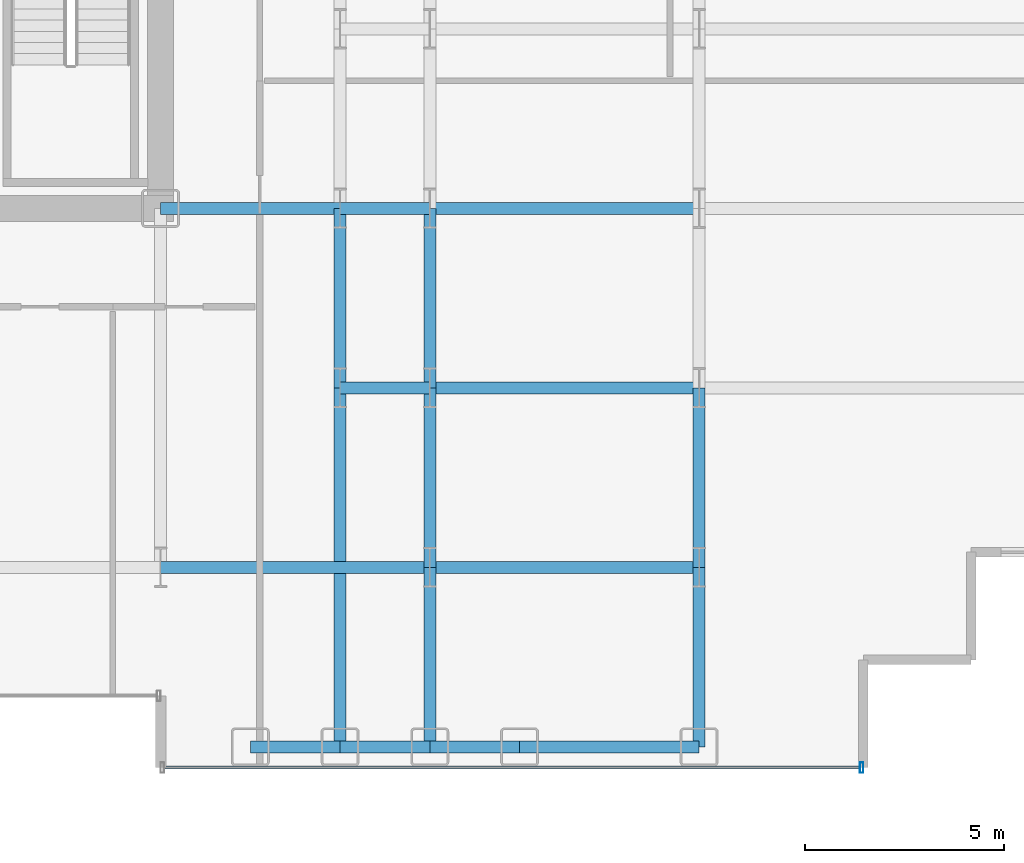
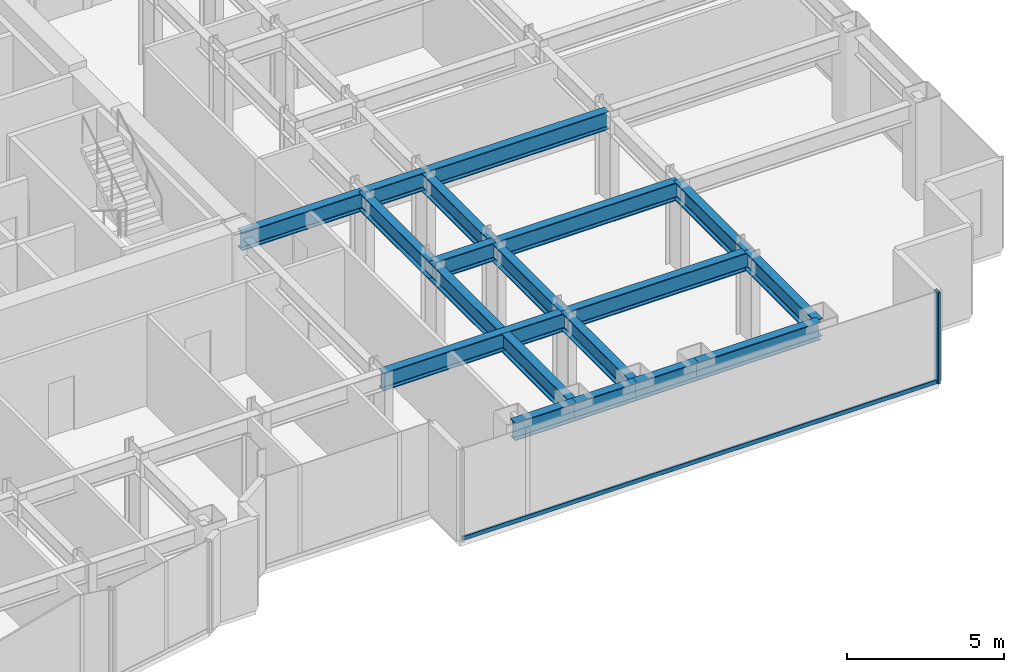
# One storey, part 7 of 25: 18 beams, 2 members, 1 element without a shape of its own.
"""IFC4 building model written with IfcOpenShell, lengths in metres."""

from ifc_helpers import new_model, si_unit, direction, frame, origin, origin_2d, place, context, subcontext, project, spatial, hollow_rectangle, i_section, extrude, source, transform, mapped, material, layer, layer_set, material_profile, profile_set, type_object, element, aggregate, save


model = new_model("IFC4")

# Units and contexts
model_context = context("Model", 3, precision=1e-05, world=origin(), true_north=direction((0.0, 1.0)))
body_context = subcontext(model_context, "Body", "Model", "MODEL_VIEW")
ifc_project = project(units=[si_unit("LENGTHUNIT", "METRE"), si_unit("AREAUNIT", "SQUARE_METRE"), si_unit("VOLUMEUNIT", "CUBIC_METRE"), si_unit("PLANEANGLEUNIT", "RADIAN"), si_unit("MASSUNIT", "GRAM", prefix="KILO")], contexts=[model_context])

# Site, building, storey
site_placement = place(None, origin())
site = spatial("IfcSite", under=ifc_project, at=site_placement, CompositionType="ELEMENT")
building_placement = place(site_placement, origin())
building = spatial("IfcBuilding", under=site, at=building_placement, Name="Nefas-Gora Pilgrimage Tower", CompositionType="ELEMENT")
storey_placement = place(building_placement, frame((0.0, 0.0, 71.0)))
storey = spatial("IfcBuildingStorey", under=building, at=storey_placement, Name="L16", CompositionType="ELEMENT", Elevation=71.0)

# Beams
ifc_material_1 = material(Name="Steel S355", Category="steel")
ifc_material_profile_1 = material_profile(ifc_material_1, i_section(OverallWidth=0.300048828125, OverallDepth=0.699951171875, WebThickness=0.01708984375, FlangeThickness=0.031982421875, FilletRadius=0.027099609375, at=origin_2d()), Name="HEB 700")
ifc_profile_set_1 = profile_set([ifc_material_profile_1], Name="Steel S355")
beam_type_1 = type_object("IfcBeamType", Name="BM-SPN-HEB600", PredefinedType="SPANDREL", material=ifc_profile_set_1)
shared_shape_1 = source(origin(), body_context, "Body", "SweptSolid", [
    extrude(i_section(OverallWidth=0.300048828125, OverallDepth=0.699951171875, WebThickness=0.01708984375, FlangeThickness=0.031982421875, FilletRadius=0.027099609375, at=origin_2d()), origin(), (0.0, 0.0, 1.0), 4.5),
])
beam_1_placement = place(storey_placement, frame((20.25, -22.5, 3.199951171875), z_axis=(1.0, 0.0, 0.0), x_axis=(0.0, 1.0, 0.0)))
element("IfcBeam", 1, at=beam_1_placement, inside=storey, type_object=beam_type_1, Name="L16 SP-01 beam", PredefinedType="SPANDREL", context=body_context, shape_type="MappedRepresentation", body=[
    mapped(shared_shape_1, transform((0.0, 0.0, 0.0), x_axis=(1.0, 0.0, 0.0), y_axis=(0.0, 1.0, 0.0), z_axis=(0.0, 0.0, 1.0), scale=1.0)),
])
ifc_material_profile_2 = material_profile(ifc_material_1, i_section(OverallWidth=0.300048828125, OverallDepth=0.699951171875, WebThickness=0.01708984375, FlangeThickness=0.031982421875, FilletRadius=0.027099609375, at=origin_2d()), Name="HEB 700")
ifc_profile_set_2 = profile_set([ifc_material_profile_2], Name="Steel S355")
beam_type_2 = type_object("IfcBeamType", Name="BM-GIR-HEB700", PredefinedType="BEAM", material=ifc_profile_set_2)
shared_shape_2 = source(origin(), body_context, "Body", "SweptSolid", [
    extrude(i_section(OverallWidth=0.300048828125, OverallDepth=0.699951171875, WebThickness=0.01708984375, FlangeThickness=0.031982421875, FilletRadius=0.027099609375, at=origin_2d()), origin(), (0.0, 0.0, 1.0), 9.0),
])
beam_2_placement = place(storey_placement, frame((15.75, -22.5, 3.199951171875), z_axis=(0.0, 1.0, 0.0), x_axis=(-1.0, 0.0, 0.0)))
element("IfcBeam", 2, at=beam_2_placement, inside=storey, type_object=beam_type_2, Name="L16 G-02 beam", PredefinedType="BEAM", context=body_context, shape_type="MappedRepresentation", body=[
    mapped(shared_shape_2, transform((0.0, 0.0, 0.0), x_axis=(1.0, 0.0, 0.0), y_axis=(0.0, 1.0, 0.0), z_axis=(0.0, 0.0, 1.0), scale=1.0)),
])
shared_shape_3 = source(origin(), body_context, "Body", "SweptSolid", [
    extrude(i_section(OverallWidth=0.300048828125, OverallDepth=0.699951171875, WebThickness=0.01708984375, FlangeThickness=0.031982421875, FilletRadius=0.027099609375, at=origin_2d()), origin(), (0.0, 0.0, 1.0), 4.5),
])
for number, where, z_axis, x_axis, name in (
    (3, (11.25, -9.0, 3.199951171875), (1.0, 0.0, 0.0), (0.0, 1.0, 0.0), "L16 G-02 beam"),
    (4, (15.75, -13.5, 3.199951171875), (0.0, 1.0, 0.0), (-1.0, 0.0, 0.0), "L16 G-02 beam"),
    (5, (18.0, -22.5, 3.199951171875), (0.0, 1.0, 0.0), (-1.0, 0.0, 0.0), "L16 G-02 beam"),
    (6, (18.0, -18.0, 3.199951171875), (0.0, 1.0, 0.0), (-1.0, 0.0, 0.0), "L16 G-02 beam"),
    (7, (18.0, -13.5, 3.199951171875), (0.0, 1.0, 0.0), (-1.0, 0.0, 0.0), "L16 G-02 beam"),
    (8, (24.75, -22.5, 3.199951171875), (0.0, 1.0, 0.0), (-1.0, 0.0, 0.0), "L16 G-02 beam"),
    (9, (24.75, -18.0, 3.199951171875), (0.0, 1.0, 0.0), (-1.0, 0.0, 0.0), "L16 G-02 beam"),
):
    element("IfcBeam", number, at=place(storey_placement, frame(where, z_axis=z_axis, x_axis=x_axis)), inside=storey, type_object=beam_type_2, Name=name, PredefinedType="BEAM", context=body_context, shape_type="MappedRepresentation", body=[
        mapped(shared_shape_3, transform((0.0, 0.0, 0.0), x_axis=(1.0, 0.0, 0.0), y_axis=(0.0, 1.0, 0.0), z_axis=(0.0, 0.0, 1.0), scale=1.0)),
    ])
shared_shape_4 = source(origin(), body_context, "Body", "SweptSolid", [
    extrude(i_section(OverallWidth=0.300048828125, OverallDepth=0.699951171875, WebThickness=0.01708984375, FlangeThickness=0.031982421875, FilletRadius=0.027099609375, at=origin_2d()), origin(), (0.0, 0.0, 1.0), 6.75),
])
for number, where, z_axis, x_axis, name in (
    (10, (11.25, -18.0, 3.199951171875), (1.0, 0.0, 0.0), (0.0, 1.0, 0.0), "L16 G-02 beam"),
    (11, (18.0, -18.0, 3.199951171875), (1.0, 0.0, 0.0), (0.0, 1.0, 0.0), "L16 G-02 beam"),
    (12, (18.0, -13.5, 3.199951171875), (1.0, 0.0, 0.0), (0.0, 1.0, 0.0), "L16 G-02 beam"),
    (13, (18.0, -9.0, 3.199951171875), (1.0, 0.0, 0.0), (0.0, 1.0, 0.0), "L16 G-02 beam"),
):
    element("IfcBeam", number, at=place(storey_placement, frame(where, z_axis=z_axis, x_axis=x_axis)), inside=storey, type_object=beam_type_2, Name=name, PredefinedType="BEAM", context=body_context, shape_type="MappedRepresentation", body=[
        mapped(shared_shape_4, transform((0.0, 0.0, 0.0), x_axis=(1.0, 0.0, 0.0), y_axis=(0.0, 1.0, 0.0), z_axis=(0.0, 0.0, 1.0), scale=1.0)),
    ])
shared_shape_5 = source(origin(), body_context, "Body", "SweptSolid", [
    extrude(i_section(OverallWidth=0.300048828125, OverallDepth=0.699951171875, WebThickness=0.01708984375, FlangeThickness=0.031982421875, FilletRadius=0.027099609375, at=origin_2d()), origin(), (0.0, 0.0, 1.0), 2.25),
])
for number, where, z_axis, x_axis, name in (
    (14, (13.5, -22.5, 3.199951171875), (1.0, 0.0, 0.0), (0.0, 1.0, 0.0), "L16 SP-01 beam"),
    (15, (15.75, -22.5, 3.199951171875), (1.0, 0.0, 0.0), (0.0, 1.0, 0.0), "L16 SP-01 beam"),
    (16, (18.0, -22.5, 3.199951171875), (1.0, 0.0, 0.0), (0.0, 1.0, 0.0), "L16 SP-01 beam"),
):
    element("IfcBeam", number, at=place(storey_placement, frame(where, z_axis=z_axis, x_axis=x_axis)), inside=storey, type_object=beam_type_1, Name=name, PredefinedType="SPANDREL", context=body_context, shape_type="MappedRepresentation", body=[
        mapped(shared_shape_5, transform((0.0, 0.0, 0.0), x_axis=(1.0, 0.0, 0.0), y_axis=(0.0, 1.0, 0.0), z_axis=(0.0, 0.0, 1.0), scale=1.0)),
    ])
shared_shape_6 = source(origin(), body_context, "Body", "SweptSolid", [
    extrude(i_section(OverallWidth=0.300048828125, OverallDepth=0.699951171875, WebThickness=0.01708984375, FlangeThickness=0.031982421875, FilletRadius=0.027099609375, at=origin_2d()), origin(), (0.0, 0.0, 1.0), 2.25),
])
for number, where, z_axis, x_axis, name in (
    (17, (15.75, -13.5, 3.199951171875), (1.0, 0.0, 0.0), (0.0, 1.0, 0.0), "L16 G-02 beam"),
    (18, (15.75, -9.0, 3.199951171875), (1.0, 0.0, 0.0), (0.0, 1.0, 0.0), "L16 G-02 beam"),
):
    element("IfcBeam", number, at=place(storey_placement, frame(where, z_axis=z_axis, x_axis=x_axis)), inside=storey, type_object=beam_type_2, Name=name, PredefinedType="BEAM", context=body_context, shape_type="MappedRepresentation", body=[
        mapped(shared_shape_6, transform((0.0, 0.0, 0.0), x_axis=(1.0, 0.0, 0.0), y_axis=(0.0, 1.0, 0.0), z_axis=(0.0, 0.0, 1.0), scale=1.0)),
    ])

# Curtain wall, members
ifc_material_2 = material(Name="Dark ceramic-fritted solar-control aluminium-glass curtain wall", Category="aluminium")
ifc_layer = layer(ifc_material_2, 0.219970703125)
ifc_layer_set = layer_set([ifc_layer], Name="Dark ceramic-fritted solar-control aluminium-glass curtain wall")
curtain_wall_type = type_object("IfcCurtainWallType", Name="CW-SYS-2", PredefinedType="NOTDEFINED", material=ifc_layer_set)
curtain_wall_placement = place(storey_placement, origin())
curtain_wall = element("IfcCurtainWall", 19, at=curtain_wall_placement, inside=storey, type_object=curtain_wall_type, Name="L16 Unitised Curtain Wall CW2", PredefinedType="NOTDEFINED")
ifc_material_3 = material(Name="Anodised architectural aluminium", Category="aluminium")
ifc_material_profile_3 = material_profile(ifc_material_3, hollow_rectangle(XDim=0.090087890625, YDim=0.260009765625, WallThickness=0.006103515625, InnerFilletRadius=0.006103515625, OuterFilletRadius=0.011962890625, at=origin_2d()), Name="ALU MULLION 90x260")
ifc_profile_set_3 = profile_set([ifc_material_profile_3], Name="Anodised architectural aluminium")
member_type_1 = type_object("IfcMemberType", Name="CWM-MUL-2", PredefinedType="MULLION", material=ifc_profile_set_3)
shared_shape_7 = source(origin(), body_context, "Body", "SweptSolid", [
    extrude(hollow_rectangle(XDim=0.090087890625, YDim=0.260009765625, WallThickness=0.006103515625, InnerFilletRadius=0.006103515625, OuterFilletRadius=0.011962890625, at=origin_2d()), origin(), (0.0, 0.0, 1.0), 3.550048828125),
])
member_1_placement = place(storey_placement, frame((28.824951171875, -23.02001953125, 0.0), z_axis=(0.0, 0.0, 1.0), x_axis=(1.0, 0.0, 0.0)))
member_1 = element("IfcMember", 20, at=member_1_placement, type_object=member_type_1, Name="CW2 Mullion 2", PredefinedType="MULLION", context=body_context, shape_type="MappedRepresentation", body=[
    mapped(shared_shape_7, transform((0.0, 0.0, 0.0), x_axis=(1.0, 0.0, 0.0), y_axis=(0.0, 1.0, 0.0), z_axis=(0.0, 0.0, 1.0), scale=1.0)),
])
ifc_material_profile_4 = material_profile(ifc_material_3, hollow_rectangle(XDim=0.080078125, YDim=0.159912109375, WallThickness=0.00439453125, InnerFilletRadius=0.00439453125, OuterFilletRadius=0.009033203125, at=origin_2d()), Name="ALU TRANSOM 80x160")
ifc_profile_set_4 = profile_set([ifc_material_profile_4], Name="Anodised architectural aluminium")
member_type_2 = type_object("IfcMemberType", Name="CWM-TRN-2", PredefinedType="USERDEFINED", material=ifc_profile_set_4)
shared_shape_8 = source(origin(), body_context, "Body", "SweptSolid", [
    extrude(hollow_rectangle(XDim=0.080078125, YDim=0.159912109375, WallThickness=0.00439453125, InnerFilletRadius=0.00439453125, OuterFilletRadius=0.009033203125, at=origin_2d()), origin(), (0.0, 0.0, 1.0), 17.43994140625),
])
member_2_placement = place(storey_placement, frame((11.340087890625, -23.02001953125, 0.050048828125), z_axis=(1.0, 0.0, 0.0), x_axis=(0.0, 1.0, 0.0)))
member_2 = element("IfcMember", 21, at=member_2_placement, type_object=member_type_2, Name="CW2 Spandrel Transom", ObjectType="TRANSOM", PredefinedType="USERDEFINED", context=body_context, shape_type="MappedRepresentation", body=[
    mapped(shared_shape_8, transform((0.0, 0.0, 0.0), x_axis=(1.0, 0.0, 0.0), y_axis=(0.0, 1.0, 0.0), z_axis=(0.0, 0.0, 1.0), scale=1.0)),
])
aggregate(curtain_wall, [member_1, member_2])

save(model, "model.ifc")
